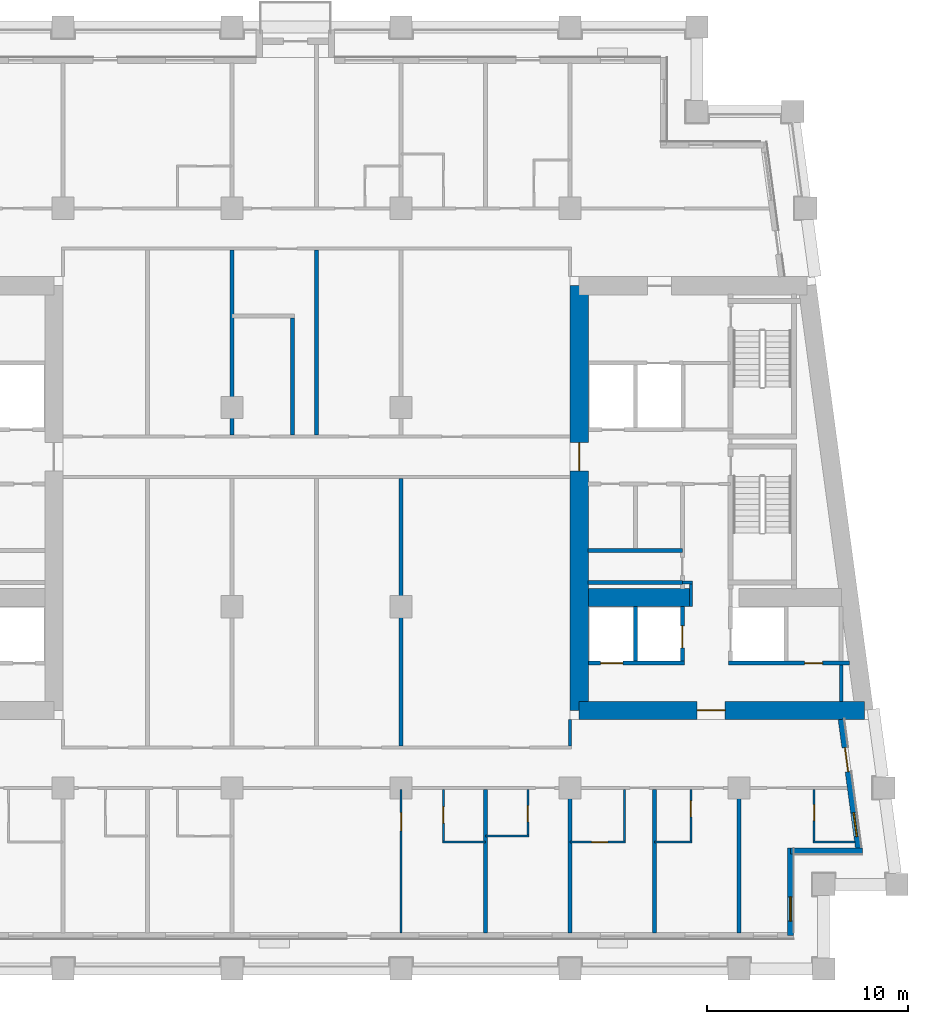
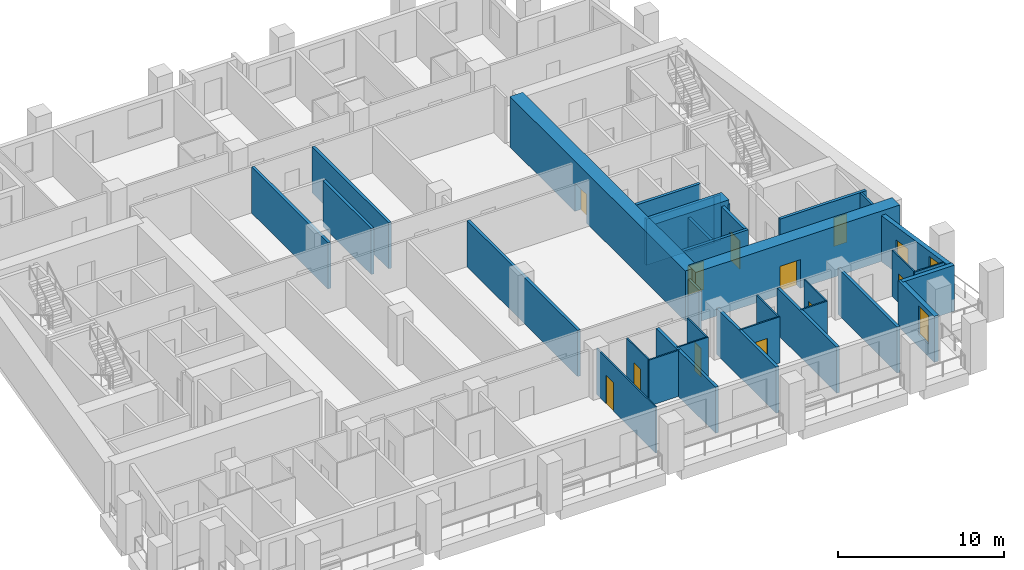
# One storey, part 5 of 13: 35 walls, 12 doors, 2 windows, 14 openings.
"""IFC4 building model written with IfcOpenShell, lengths in metres."""

from ifc_helpers import new_model, si_unit, direction, frame, frame_2d, origin, place, context, subcontext, project, spatial, rectangle, extrude, material, layer, layer_set, type_object, element, fill, save


model = new_model("IFC4")

# Units and contexts
model_context = context("Model", 3, precision=1e-05, world=origin(), true_north=direction((0.0, 1.0)))
body_context = subcontext(model_context, "Body", "Model", "MODEL_VIEW")
ifc_project = project(units=[si_unit("LENGTHUNIT", "METRE"), si_unit("AREAUNIT", "SQUARE_METRE"), si_unit("VOLUMEUNIT", "CUBIC_METRE"), si_unit("PLANEANGLEUNIT", "RADIAN"), si_unit("MASSUNIT", "GRAM", prefix="KILO")], contexts=[model_context])

# Site, building, storey
site_placement = place(None, origin())
site = spatial("IfcSite", under=ifc_project, at=site_placement, CompositionType="ELEMENT")
building_placement = place(site_placement, origin())
building = spatial("IfcBuilding", under=site, at=building_placement, Name="Candeia Pilgrim Tower and Theatre", CompositionType="ELEMENT")
storey_placement = place(building_placement, frame((0.0, 0.0, 177.39990234375)))
storey = spatial("IfcBuildingStorey", under=building, at=storey_placement, Name="L42", CompositionType="ELEMENT", Elevation=177.39990234375)

# Wall, opening, door
ifc_material_1 = material(Name="Concrete C60/75", Category="concrete")
ifc_layer_1 = layer(ifc_material_1, 0.89990234375)
ifc_layer_set_1 = layer_set([ifc_layer_1], Name="Core wall 900 C60/75")
wall_type_1 = type_object("IfcWallType", Name="Core wall 900 C60/75", PredefinedType="SHEAR", material=ifc_layer_set_1)
wall_1_placement = place(storey_placement, frame((140.6162109375, 110.85009765625, 0.0), z_axis=(0.0, 0.0, 1.0), x_axis=(-1.0, 0.0, 0.0)))
wall_1 = element("IfcWall", 1, at=wall_1_placement, inside=storey, type_object=wall_type_1, Name="Core wall E3", PredefinedType="SHEAR", context=body_context, shape_type="SweptSolid", body=[
    extrude(rectangle(XDim=14.166259765625, YDim=0.89990234375, at=frame_2d((7.0830078125, 0.0))), origin(), (0.0, 0.0, 1.0), 3.7001953125),
])
opening_1_placement = place(wall_1_placement, frame((6.911376953125, 0.0, 0.0)))
opening_1 = element("IfcOpeningElement", 2, at=opening_1_placement, cuts=wall_1, Name="Opening L42-D065", PredefinedType="OPENING", context=body_context, shape_type="SweptSolid", body=[
    extrude(rectangle(XDim=1.39990234375, YDim=2.10009765625, at=frame_2d((0.699951171875, 1.050048828125))), frame((0.0, 0.4599609375, 0.0), z_axis=(0.0, -1.0, 0.0), x_axis=(1.0, 0.0, 0.0)), (0.0, 0.0, 1.0), 0.919921875),
])
ifc_material_2 = material(Name="Steel fire door set", Category="steel")
door_type_1 = type_object("IfcDoorType", Name="D-1400-FD60", OperationType="NOTDEFINED", PredefinedType="DOOR", material=ifc_material_2)
door_1_placement = place(opening_1_placement, origin())
door_1 = element("IfcDoor", 3, at=door_1_placement, inside=storey, type_object=door_type_1, Name="Door L42-D065", OperationType="SINGLE_SWING_LEFT", OverallHeight=2.10009765625, OverallWidth=1.39990234375, PredefinedType="DOOR", context=body_context, shape_type="SweptSolid", body=[
    extrude(rectangle(XDim=1.39990234375, YDim=2.10009765625, at=frame_2d((0.699951171875, 1.050048828125))), frame((0.0, 0.02490234375, 0.0), z_axis=(0.0, -1.0, 0.0), x_axis=(1.0, 0.0, 0.0)), (0.0, 0.0, 1.0), 0.050048828125),
])
fill(opening_1, door_1)

wall_2_placement = place(storey_placement, frame((126.449951171875, 110.85009765625, 0.0), z_axis=(0.0, 0.0, 1.0), x_axis=(0.0, 1.0, 0.0)))
wall_2 = element("IfcWall", 4, at=wall_2_placement, inside=storey, type_object=wall_type_1, Name="Core wall E4", PredefinedType="SHEAR", context=body_context, shape_type="SweptSolid", body=[
    extrude(rectangle(XDim=21.099853515625, YDim=0.89990234375, at=frame_2d((10.5498046875, 0.0))), origin(), (0.0, 0.0, 1.0), 3.7001953125),
])
opening_2_placement = place(wall_2_placement, frame((11.89990234375, 0.0, 0.0)))
opening_2 = element("IfcOpeningElement", 5, at=opening_2_placement, cuts=wall_2, Name="Opening L42-D067", PredefinedType="OPENING", context=body_context, shape_type="SweptSolid", body=[
    extrude(rectangle(XDim=1.39990234375, YDim=2.10009765625, at=frame_2d((0.699951171875, 1.050048828125))), frame((0.0, 0.4599609375, 0.0), z_axis=(0.0, -1.0, 0.0), x_axis=(1.0, 0.0, 0.0)), (0.0, 0.0, 1.0), 0.919921875),
])
door_2_placement = place(opening_2_placement, origin())
door_2 = element("IfcDoor", 6, at=door_2_placement, inside=storey, type_object=door_type_1, Name="Door L42-D067", OperationType="SINGLE_SWING_LEFT", OverallHeight=2.10009765625, OverallWidth=1.39990234375, PredefinedType="DOOR", context=body_context, shape_type="SweptSolid", body=[
    extrude(rectangle(XDim=1.39990234375, YDim=2.10009765625, at=frame_2d((0.699951171875, 1.050048828125))), frame((0.0, 0.02490234375, 0.0), z_axis=(0.0, -1.0, 0.0), x_axis=(1.0, 0.0, 0.0)), (0.0, 0.0, 1.0), 0.050048828125),
])
fill(opening_2, door_2)

# Wall
wall_3_placement = place(storey_placement, frame((126.89990234375, 116.449951171875, 0.0), z_axis=(0.0, 0.0, 1.0), x_axis=(1.0, 0.0, 0.0)))
element("IfcWall", 7, at=wall_3_placement, inside=storey, type_object=wall_type_1, Name="Core wall E5", PredefinedType="SHEAR", context=body_context, shape_type="SweptSolid", body=[
    extrude(rectangle(XDim=5.10009765625, YDim=0.89990234375, at=frame_2d((2.550048828125, 0.0))), origin(), (0.0, 0.0, 1.0), 3.7001953125),
])

# Wall, opening, window
ifc_material_3 = material(Name="Ceramic block masonry", Category="masonry")
ifc_layer_2 = layer(ifc_material_3, 0.300048828125)
ifc_layer_set_2 = layer_set([ifc_layer_2], Name="EW1 glazing-line wall 300")
wall_type_2 = type_object("IfcWallType", Name="EW1 glazing-line wall 300", PredefinedType="SOLIDWALL", material=ifc_layer_set_2)
wall_4_placement = place(storey_placement, frame((136.949951171875, 99.64990234375, 0.0), z_axis=(0.0, 0.0, 1.0), x_axis=(0.0, 1.0, 0.0)))
wall_4 = element("IfcWall", 8, at=wall_4_placement, inside=storey, type_object=wall_type_2, Name="External wall L42-1.0", PredefinedType="SOLIDWALL", context=body_context, shape_type="SweptSolid", body=[
    extrude(rectangle(XDim=4.35009765625, YDim=0.300048828125, at=frame_2d((2.175048828125, 0.0))), origin(), (0.0, 0.0, 1.0), 3.380126953125),
])
opening_3_placement = place(wall_4_placement, frame((0.72509765625, 0.0, 0.89990234375)))
opening_3 = element("IfcOpeningElement", 9, at=opening_3_placement, cuts=wall_4, Name="Opening W-B", PredefinedType="OPENING", context=body_context, shape_type="SweptSolid", body=[
    extrude(rectangle(XDim=1.199951171875, YDim=2.10009765625, at=frame_2d((0.60009765625, 1.050048828125))), frame((0.0, 0.16015625, 0.0), z_axis=(0.0, -1.0, 0.0), x_axis=(1.0, 0.0, 0.0)), (0.0, 0.0, 1.0), 0.320068359375),
])
ifc_material_4 = material(Name="Aluminium framed double glazing", Category="aluminium")
window_type = type_object("IfcWindowType", Name="W-B window 1200x2100", PartitioningType="SINGLE_PANEL", PredefinedType="WINDOW", material=ifc_material_4)
window_1_placement = place(opening_3_placement, origin())
window_1 = element("IfcWindow", 10, at=window_1_placement, inside=storey, type_object=window_type, Name="Window W-B L42", OverallHeight=2.10009765625, OverallWidth=1.199951171875, PartitioningType="SINGLE_PANEL", PredefinedType="WINDOW", context=body_context, shape_type="SweptSolid", body=[
    extrude(rectangle(XDim=1.199951171875, YDim=2.10009765625, at=frame_2d((0.60009765625, 1.050048828125))), frame((0.0, 0.030029296875, 0.0), z_axis=(0.0, -1.0, 0.0), x_axis=(1.0, 0.0, 0.0)), (0.0, 0.0, 1.0), 0.06005859375),
])
fill(opening_3, window_1)

# Wall
wall_5_placement = place(storey_placement, frame((136.949951171875, 103.85009765625, 0.0), z_axis=(0.0, 0.0, 1.0), x_axis=(1.0, 0.0, 0.0)))
element("IfcWall", 11, at=wall_5_placement, inside=storey, type_object=wall_type_2, Name="External wall L42-2.0", PredefinedType="SOLIDWALL", context=body_context, shape_type="SweptSolid", body=[
    extrude(rectangle(XDim=3.569091796875, YDim=0.300048828125, at=frame_2d((1.78466796875, 0.0))), origin(), (0.0, 0.0, 1.0), 3.380126953125),
])

# Wall, openings, door, window
wall_6_placement = place(storey_placement, frame((140.34765625, 103.85009765625, 0.0), z_axis=(0.0, 0.0, 1.0), x_axis=(-0.133431549479, 0.991058031401, 0.0)))
wall_6 = element("IfcWall", 12, at=wall_6_placement, inside=storey, type_object=wall_type_2, Name="External wall L42-3.0", PredefinedType="SOLIDWALL", context=body_context, shape_type="SweptSolid", body=[
    extrude(rectangle(XDim=6.60888671875, YDim=0.300048828125, at=frame_2d((3.304443359375, 0.0))), origin(), (0.0, 0.0, 1.0), 3.380126953125),
])
opening_4_placement = place(wall_6_placement, frame((0.736572265625, 0.0, 0.89990234375)))
opening_4 = element("IfcOpeningElement", 13, at=opening_4_placement, cuts=wall_6, Name="Opening W-B", PredefinedType="OPENING", context=body_context, shape_type="SweptSolid", body=[
    extrude(rectangle(XDim=1.199951171875, YDim=2.10009765625, at=frame_2d((0.60009765625, 1.050048828125))), frame((0.0, 0.16015625, 0.0), z_axis=(0.0, -1.0, 0.0), x_axis=(1.0, 0.0, 0.0)), (0.0, 0.0, 1.0), 0.320068359375),
])
opening_5_placement = place(wall_6_placement, frame((3.990966796875, 0.0, 0.0)))
opening_5 = element("IfcOpeningElement", 14, at=opening_5_placement, cuts=wall_6, Name="Opening L42-ED403", PredefinedType="OPENING", context=body_context, shape_type="SweptSolid", body=[
    extrude(rectangle(XDim=1.199951171875, YDim=2.39990234375, at=frame_2d((0.60009765625, 1.199951171875))), frame((0.0, 0.16015625, 0.0), z_axis=(0.0, -1.0, 0.0), x_axis=(1.0, 0.0, 0.0)), (0.0, 0.0, 1.0), 0.320068359375),
])
ifc_material_5 = material(Name="Aluminium framed glazed door", Category="aluminium")
door_type_2 = type_object("IfcDoorType", Name="Loggia door 1200x2400", OperationType="DOUBLE_DOOR_SINGLE_SWING", PredefinedType="DOOR", material=ifc_material_5)
door_3_placement = place(opening_5_placement, origin())
door_3 = element("IfcDoor", 15, at=door_3_placement, inside=storey, type_object=door_type_2, Name="Loggia door L42-ED403", OperationType="DOUBLE_DOOR_SINGLE_SWING", OverallHeight=2.39990234375, OverallWidth=1.199951171875, PredefinedType="DOOR", context=body_context, shape_type="SweptSolid", body=[
    extrude(rectangle(XDim=1.199951171875, YDim=2.39990234375, at=frame_2d((0.60009765625, 1.199951171875))), frame((0.0, 0.02490234375, 0.0), z_axis=(0.0, -1.0, 0.0), x_axis=(1.0, 0.0, 0.0)), (0.0, 0.0, 1.0), 0.050048828125),
])
fill(opening_5, door_3)
window_2_placement = place(opening_4_placement, origin())
window_2 = element("IfcWindow", 16, at=window_2_placement, inside=storey, type_object=window_type, Name="Window W-B L42", OverallHeight=2.10009765625, OverallWidth=1.199951171875, PartitioningType="SINGLE_PANEL", PredefinedType="WINDOW", context=body_context, shape_type="SweptSolid", body=[
    extrude(rectangle(XDim=1.199951171875, YDim=2.10009765625, at=frame_2d((0.60009765625, 1.050048828125))), frame((0.0, 0.030029296875, 0.0), z_axis=(0.0, -1.0, 0.0), x_axis=(1.0, 0.0, 0.0)), (0.0, 0.0, 1.0), 0.06005859375),
])
fill(opening_4, window_2)

# Wall
ifc_material_6 = material(Name="Gypsum board partition on steel studs", Category="steel")
ifc_layer_3 = layer(ifc_material_6, 0.10009765625)
ifc_layer_set_3 = layer_set([ifc_layer_3], Name="PW-100 room partition")
wall_type_3 = type_object("IfcWallType", Name="PW-100 room partition", PredefinedType="PARTITIONING", material=ifc_layer_set_3)
wall_7_placement = place(storey_placement, frame((119.64990234375, 104.300048828125, 0.0), z_axis=(0.0, 0.0, 1.0), x_axis=(1.0, 0.0, 0.0)))
element("IfcWall", 17, at=wall_7_placement, inside=storey, type_object=wall_type_3, Name="Room partition L42-003", PredefinedType="PARTITIONING", context=body_context, shape_type="SweptSolid", body=[
    extrude(rectangle(XDim=2.150146484375, YDim=0.10009765625, at=frame_2d((1.0751953125, 0.0))), origin(), (0.0, 0.0, 1.0), 3.380126953125),
])

# Wall, opening, door
wall_8_placement = place(storey_placement, frame((126.0, 104.300048828125, 0.0), z_axis=(0.0, 0.0, 1.0), x_axis=(1.0, 0.0, 0.0)))
wall_8 = element("IfcWall", 18, at=wall_8_placement, inside=storey, type_object=wall_type_3, Name="Room partition L42-004", PredefinedType="PARTITIONING", context=body_context, shape_type="SweptSolid", body=[
    extrude(rectangle(XDim=2.75, YDim=0.10009765625, at=frame_2d((1.375, 0.0))), origin(), (0.0, 0.0, 1.0), 3.380126953125),
])
opening_6_placement = place(wall_8_placement, frame((1.070068359375, 0.0, 0.0)))
opening_6 = element("IfcOpeningElement", 19, at=opening_6_placement, cuts=wall_8, Name="Opening L42-D033", PredefinedType="OPENING", context=body_context, shape_type="SweptSolid", body=[
    extrude(rectangle(XDim=0.800048828125, YDim=2.10009765625, at=frame_2d((0.39990234375, 1.050048828125))), frame((0.0, 0.06005859375, 0.0), z_axis=(0.0, -1.0, 0.0), x_axis=(1.0, 0.0, 0.0)), (0.0, 0.0, 1.0), 0.1201171875),
])
ifc_material_7 = material(Name="Timber door leaf", Category="wood")
door_type_3 = type_object("IfcDoorType", Name="D-800", OperationType="NOTDEFINED", PredefinedType="DOOR", material=ifc_material_7)
door_4_placement = place(opening_6_placement, origin())
door_4 = element("IfcDoor", 20, at=door_4_placement, inside=storey, type_object=door_type_3, Name="Door L42-D033", OperationType="SINGLE_SWING_LEFT", OverallHeight=2.10009765625, OverallWidth=0.800048828125, PredefinedType="DOOR", context=body_context, shape_type="SweptSolid", body=[
    extrude(rectangle(XDim=0.800048828125, YDim=2.10009765625, at=frame_2d((0.39990234375, 1.050048828125))), frame((0.0, 0.02490234375, 0.0), z_axis=(0.0, -1.0, 0.0), x_axis=(1.0, 0.0, 0.0)), (0.0, 0.0, 1.0), 0.050048828125),
])
fill(opening_6, door_4)

# Walls
wall_9_placement = place(storey_placement, frame((130.199951171875, 104.300048828125, 0.0), z_axis=(0.0, 0.0, 1.0), x_axis=(1.0, 0.0, 0.0)))
element("IfcWall", 21, at=wall_9_placement, inside=storey, type_object=wall_type_3, Name="Room partition L42-005", PredefinedType="PARTITIONING", context=body_context, shape_type="SweptSolid", body=[
    extrude(rectangle(XDim=1.85009765625, YDim=0.10009765625, at=frame_2d((0.925048828125, 0.0))), origin(), (0.0, 0.0, 1.0), 3.380126953125),
])
wall_10_placement = place(storey_placement, frame((138.070068359375, 104.300048828125, 0.0), z_axis=(0.0, 0.0, 1.0), x_axis=(1.0, 0.0, 0.0)))
element("IfcWall", 22, at=wall_10_placement, inside=storey, type_object=wall_type_3, Name="Room partition L42-006", PredefinedType="PARTITIONING", context=body_context, shape_type="SweptSolid", body=[
    extrude(rectangle(XDim=2.07568359375, YDim=0.10009765625, at=frame_2d((1.037841796875, 0.0))), origin(), (0.0, 0.0, 1.0), 3.380126953125),
])
wall_11_placement = place(storey_placement, frame((121.800048828125, 104.60009765625, 0.0), z_axis=(0.0, 0.0, 1.0), x_axis=(1.0, 0.0, 0.0)))
element("IfcWall", 23, at=wall_11_placement, inside=storey, type_object=wall_type_3, Name="Room partition L42-010", PredefinedType="PARTITIONING", context=body_context, shape_type="SweptSolid", body=[
    extrude(rectangle(XDim=2.14990234375, YDim=0.10009765625, at=frame_2d((1.074951171875, 0.0))), origin(), (0.0, 0.0, 1.0), 3.380126953125),
])

# Wall, opening, door
wall_12_placement = place(storey_placement, frame((117.60009765625, 99.7900390625, 0.0), z_axis=(0.0, 0.0, 1.0), x_axis=(0.0, 1.0, 0.0)))
wall_12 = element("IfcWall", 24, at=wall_12_placement, inside=storey, type_object=wall_type_3, Name="Room partition L42-094", PredefinedType="PARTITIONING", context=body_context, shape_type="SweptSolid", body=[
    extrude(rectangle(XDim=7.135009765625, YDim=0.10009765625, at=frame_2d((3.5673828125, 0.0))), origin(), (0.0, 0.0, 1.0), 3.380126953125),
])
opening_7_placement = place(wall_12_placement, frame((5.074951171875, 0.0, 0.0)))
opening_7 = element("IfcOpeningElement", 25, at=opening_7_placement, cuts=wall_12, Name="Opening L42-D028", PredefinedType="OPENING", context=body_context, shape_type="SweptSolid", body=[
    extrude(rectangle(XDim=0.89990234375, YDim=2.10009765625, at=frame_2d((0.449951171875, 1.050048828125))), frame((0.0, 0.06005859375, 0.0), z_axis=(0.0, -1.0, 0.0), x_axis=(1.0, 0.0, 0.0)), (0.0, 0.0, 1.0), 0.1201171875),
])
door_type_4 = type_object("IfcDoorType", Name="D-900", OperationType="NOTDEFINED", PredefinedType="DOOR", material=ifc_material_7)
door_5_placement = place(opening_7_placement, origin())
door_5 = element("IfcDoor", 26, at=door_5_placement, inside=storey, type_object=door_type_4, Name="Door L42-D028", OperationType="SINGLE_SWING_RIGHT", OverallHeight=2.10009765625, OverallWidth=0.89990234375, PredefinedType="DOOR", context=body_context, shape_type="SweptSolid", body=[
    extrude(rectangle(XDim=0.89990234375, YDim=2.10009765625, at=frame_2d((0.449951171875, 1.050048828125))), frame((0.0, 0.02490234375, 0.0), z_axis=(0.0, -1.0, 0.0), x_axis=(1.0, 0.0, 0.0)), (0.0, 0.0, 1.0), 0.050048828125),
])
fill(opening_7, door_5)

wall_13_placement = place(storey_placement, frame((119.699951171875, 104.35009765625, 0.0), z_axis=(0.0, 0.0, 1.0), x_axis=(0.0, 1.0, 0.0)))
wall_13 = element("IfcWall", 27, at=wall_13_placement, inside=storey, type_object=wall_type_3, Name="Room partition L42-098", PredefinedType="PARTITIONING", context=body_context, shape_type="SweptSolid", body=[
    extrude(rectangle(XDim=2.574951171875, YDim=0.10009765625, at=frame_2d((1.28759765625, 0.0))), origin(), (0.0, 0.0, 1.0), 3.380126953125),
])
opening_8_placement = place(wall_13_placement, frame((0.89990234375, 0.0, 0.0)))
opening_8 = element("IfcOpeningElement", 28, at=opening_8_placement, cuts=wall_13, Name="Opening L42-D029", PredefinedType="OPENING", context=body_context, shape_type="SweptSolid", body=[
    extrude(rectangle(XDim=0.800048828125, YDim=2.10009765625, at=frame_2d((0.39990234375, 1.050048828125))), frame((0.0, 0.06005859375, 0.0), z_axis=(0.0, -1.0, 0.0), x_axis=(1.0, 0.0, 0.0)), (0.0, 0.0, 1.0), 0.1201171875),
])
door_6_placement = place(opening_8_placement, origin())
door_6 = element("IfcDoor", 29, at=door_6_placement, inside=storey, type_object=door_type_3, Name="Door L42-D029", OperationType="SINGLE_SWING_LEFT", OverallHeight=2.10009765625, OverallWidth=0.800048828125, PredefinedType="DOOR", context=body_context, shape_type="SweptSolid", body=[
    extrude(rectangle(XDim=0.800048828125, YDim=2.10009765625, at=frame_2d((0.39990234375, 1.050048828125))), frame((0.0, 0.02490234375, 0.0), z_axis=(0.0, -1.0, 0.0), x_axis=(1.0, 0.0, 0.0)), (0.0, 0.0, 1.0), 0.050048828125),
])
fill(opening_8, door_6)

wall_14_placement = place(storey_placement, frame((123.89990234375, 104.64990234375, 0.0), z_axis=(0.0, 0.0, 1.0), x_axis=(0.0, 1.0, 0.0)))
wall_14 = element("IfcWall", 30, at=wall_14_placement, inside=storey, type_object=wall_type_3, Name="Room partition L42-102", PredefinedType="PARTITIONING", context=body_context, shape_type="SweptSolid", body=[
    extrude(rectangle(XDim=2.275146484375, YDim=0.10009765625, at=frame_2d((1.1376953125, 0.0))), origin(), (0.0, 0.0, 1.0), 3.380126953125),
])
opening_9_placement = place(wall_14_placement, frame((0.659912109375, 0.0, 0.0)))
opening_9 = element("IfcOpeningElement", 31, at=opening_9_placement, cuts=wall_14, Name="Opening L42-D031", PredefinedType="OPENING", context=body_context, shape_type="SweptSolid", body=[
    extrude(rectangle(XDim=0.800048828125, YDim=2.10009765625, at=frame_2d((0.39990234375, 1.050048828125))), frame((0.0, 0.06005859375, 0.0), z_axis=(0.0, -1.0, 0.0), x_axis=(1.0, 0.0, 0.0)), (0.0, 0.0, 1.0), 0.1201171875),
])
door_7_placement = place(opening_9_placement, origin())
door_7 = element("IfcDoor", 32, at=door_7_placement, inside=storey, type_object=door_type_3, Name="Door L42-D031", OperationType="SINGLE_SWING_LEFT", OverallHeight=2.10009765625, OverallWidth=0.800048828125, PredefinedType="DOOR", context=body_context, shape_type="SweptSolid", body=[
    extrude(rectangle(XDim=0.800048828125, YDim=2.10009765625, at=frame_2d((0.39990234375, 1.050048828125))), frame((0.0, 0.02490234375, 0.0), z_axis=(0.0, -1.0, 0.0), x_axis=(1.0, 0.0, 0.0)), (0.0, 0.0, 1.0), 0.050048828125),
])
fill(opening_9, door_7)

# Wall
wall_15_placement = place(storey_placement, frame((128.699951171875, 104.35009765625, 0.0), z_axis=(0.0, 0.0, 1.0), x_axis=(0.0, 1.0, 0.0)))
element("IfcWall", 33, at=wall_15_placement, inside=storey, type_object=wall_type_3, Name="Room partition L42-108", PredefinedType="PARTITIONING", context=body_context, shape_type="SweptSolid", body=[
    extrude(rectangle(XDim=2.574951171875, YDim=0.10009765625, at=frame_2d((1.28759765625, 0.0))), origin(), (0.0, 0.0, 1.0), 3.380126953125),
])

# Wall, opening, door
wall_16_placement = place(storey_placement, frame((132.0, 104.35009765625, 0.0), z_axis=(0.0, 0.0, 1.0), x_axis=(0.0, 1.0, 0.0)))
wall_16 = element("IfcWall", 34, at=wall_16_placement, inside=storey, type_object=wall_type_3, Name="Room partition L42-116", PredefinedType="PARTITIONING", context=body_context, shape_type="SweptSolid", body=[
    extrude(rectangle(XDim=2.574951171875, YDim=0.10009765625, at=frame_2d((1.28759765625, 0.0))), origin(), (0.0, 0.0, 1.0), 3.380126953125),
])
opening_10_placement = place(wall_16_placement, frame((1.199951171875, 0.0, 0.0)))
opening_10 = element("IfcOpeningElement", 35, at=opening_10_placement, cuts=wall_16, Name="Opening L42-D035", PredefinedType="OPENING", context=body_context, shape_type="SweptSolid", body=[
    extrude(rectangle(XDim=0.800048828125, YDim=2.10009765625, at=frame_2d((0.39990234375, 1.050048828125))), frame((0.0, 0.06005859375, 0.0), z_axis=(0.0, -1.0, 0.0), x_axis=(1.0, 0.0, 0.0)), (0.0, 0.0, 1.0), 0.1201171875),
])
door_8_placement = place(opening_10_placement, origin())
door_8 = element("IfcDoor", 36, at=door_8_placement, inside=storey, type_object=door_type_3, Name="Door L42-D035", OperationType="SINGLE_SWING_LEFT", OverallHeight=2.10009765625, OverallWidth=0.800048828125, PredefinedType="DOOR", context=body_context, shape_type="SweptSolid", body=[
    extrude(rectangle(XDim=0.800048828125, YDim=2.10009765625, at=frame_2d((0.39990234375, 1.050048828125))), frame((0.0, 0.02490234375, 0.0), z_axis=(0.0, -1.0, 0.0), x_axis=(1.0, 0.0, 0.0)), (0.0, 0.0, 1.0), 0.050048828125),
])
fill(opening_10, door_8)

wall_17_placement = place(storey_placement, frame((138.1201171875, 104.35009765625, 0.0), z_axis=(0.0, 0.0, 1.0), x_axis=(0.0, 1.0, 0.0)))
wall_17 = element("IfcWall", 37, at=wall_17_placement, inside=storey, type_object=wall_type_3, Name="Room partition L42-127", PredefinedType="PARTITIONING", context=body_context, shape_type="SweptSolid", body=[
    extrude(rectangle(XDim=2.574951171875, YDim=0.10009765625, at=frame_2d((1.28759765625, 0.0))), origin(), (0.0, 0.0, 1.0), 3.380126953125),
])
opening_11_placement = place(wall_17_placement, frame((1.02001953125, 0.0, 0.0)))
opening_11 = element("IfcOpeningElement", 38, at=opening_11_placement, cuts=wall_17, Name="Opening L42-D037", PredefinedType="OPENING", context=body_context, shape_type="SweptSolid", body=[
    extrude(rectangle(XDim=0.800048828125, YDim=2.10009765625, at=frame_2d((0.39990234375, 1.050048828125))), frame((0.0, 0.06005859375, 0.0), z_axis=(0.0, -1.0, 0.0), x_axis=(1.0, 0.0, 0.0)), (0.0, 0.0, 1.0), 0.1201171875),
])
door_9_placement = place(opening_11_placement, origin())
door_9 = element("IfcDoor", 39, at=door_9_placement, inside=storey, type_object=door_type_3, Name="Door L42-D037", OperationType="SINGLE_SWING_LEFT", OverallHeight=2.10009765625, OverallWidth=0.800048828125, PredefinedType="DOOR", context=body_context, shape_type="SweptSolid", body=[
    extrude(rectangle(XDim=0.800048828125, YDim=2.10009765625, at=frame_2d((0.39990234375, 1.050048828125))), frame((0.0, 0.02490234375, 0.0), z_axis=(0.0, -1.0, 0.0), x_axis=(1.0, 0.0, 0.0)), (0.0, 0.0, 1.0), 0.050048828125),
])
fill(opening_11, door_9)

# Walls
ifc_layer_4 = layer(ifc_material_6, 0.14990234375)
ifc_layer_set_4 = layer_set([ifc_layer_4], Name="PW-150 lobby wall")
wall_type_4 = type_object("IfcWallType", Name="PW-150 lobby wall", PredefinedType="PARTITIONING", material=ifc_layer_set_4)
wall_18_placement = place(storey_placement, frame((131.572998046875, 117.199951171875, 0.0), z_axis=(0.0, 0.0, 1.0), x_axis=(1.0, 0.0, 0.0)))
element("IfcWall", 40, at=wall_18_placement, inside=storey, type_object=wall_type_4, Name="Lobby wall L42-020", PredefinedType="PARTITIONING", context=body_context, shape_type="SweptSolid", body=[
    extrude(rectangle(XDim=0.501953125, YDim=0.14990234375, at=frame_2d((0.2509765625, 0.0))), origin(), (0.0, 0.0, 1.0), 3.380126953125),
])
wall_19_placement = place(storey_placement, frame((132.0, 116.0, 0.0), z_axis=(0.0, 0.0, 1.0), x_axis=(0.0, 1.0, 0.0)))
element("IfcWall", 41, at=wall_19_placement, inside=storey, type_object=wall_type_4, Name="Lobby wall L42-117", PredefinedType="PARTITIONING", context=body_context, shape_type="SweptSolid", body=[
    extrude(rectangle(XDim=1.125, YDim=0.14990234375, at=frame_2d((0.5625, 0.0))), origin(), (0.0, 0.0, 1.0), 3.380126953125),
])
wall_20_placement = place(storey_placement, frame((139.471923828125, 111.300048828125, 0.0), z_axis=(0.0, 0.0, 1.0), x_axis=(0.0, 1.0, 0.0)))
element("IfcWall", 42, at=wall_20_placement, inside=storey, type_object=wall_type_4, Name="Lobby wall L42-129", PredefinedType="PARTITIONING", context=body_context, shape_type="SweptSolid", body=[
    extrude(rectangle(XDim=1.800048828125, YDim=0.14990234375, at=frame_2d((0.89990234375, 0.0))), origin(), (0.0, 0.0, 1.0), 3.380126953125),
])
ifc_layer_5 = layer(ifc_material_6, 0.14990234375)
ifc_layer_set_5 = layer_set([ifc_layer_5], Name="PW-150 unit wall")
wall_type_5 = type_object("IfcWallType", Name="PW-150 unit wall", PredefinedType="PARTITIONING", material=ifc_layer_set_5)
wall_21_placement = place(storey_placement, frame((126.0, 109.074951171875, 0.0), z_axis=(0.0, 0.0, 1.0), x_axis=(0.0, 1.0, 0.0)))
element("IfcWall", 43, at=wall_21_placement, inside=storey, type_object=wall_type_5, Name="Unit wall L42-106", PredefinedType="PARTITIONING", context=body_context, shape_type="SweptSolid", body=[
    extrude(rectangle(XDim=1.324951171875, YDim=0.14990234375, at=frame_2d((0.66259765625, 0.0))), origin(), (0.0, 0.0, 1.0), 3.380126953125),
])
ifc_layer_6 = layer(ifc_material_6, 0.199951171875)
ifc_layer_set_6 = layer_set([ifc_layer_6], Name="PW-200 party wall")
wall_type_6 = type_object("IfcWallType", Name="PW-200 party wall", PredefinedType="PARTITIONING", material=ifc_layer_set_6)
wall_22_placement = place(storey_placement, frame((109.199951171875, 124.52490234375, 0.0), z_axis=(0.0, 0.0, 1.0), x_axis=(0.0, 1.0, 0.0)))
element("IfcWall", 44, at=wall_22_placement, inside=storey, type_object=wall_type_6, Name="Party wall L42-087", PredefinedType="PARTITIONING", context=body_context, shape_type="SweptSolid", body=[
    extrude(rectangle(XDim=9.2001953125, YDim=0.199951171875, at=frame_2d((4.60009765625, 0.0))), origin(), (0.0, 0.0, 1.0), 3.380126953125),
])
wall_23_placement = place(storey_placement, frame((112.199951171875, 124.52490234375, 0.0), z_axis=(0.0, 0.0, 1.0), x_axis=(0.0, 1.0, 0.0)))
element("IfcWall", 45, at=wall_23_placement, inside=storey, type_object=wall_type_6, Name="Party wall L42-089", PredefinedType="PARTITIONING", context=body_context, shape_type="SweptSolid", body=[
    extrude(rectangle(XDim=5.8251953125, YDim=0.199951171875, at=frame_2d((2.91259765625, 0.0))), origin(), (0.0, 0.0, 1.0), 3.380126953125),
])
wall_24_placement = place(storey_placement, frame((113.39990234375, 124.52490234375, 0.0), z_axis=(0.0, 0.0, 1.0), x_axis=(0.0, 1.0, 0.0)))
element("IfcWall", 46, at=wall_24_placement, inside=storey, type_object=wall_type_6, Name="Party wall L42-091", PredefinedType="PARTITIONING", context=body_context, shape_type="SweptSolid", body=[
    extrude(rectangle(XDim=9.2001953125, YDim=0.199951171875, at=frame_2d((4.60009765625, 0.0))), origin(), (0.0, 0.0, 1.0), 3.380126953125),
])
wall_25_placement = place(storey_placement, frame((117.60009765625, 109.074951171875, 0.0), z_axis=(0.0, 0.0, 1.0), x_axis=(0.0, 1.0, 0.0)))
element("IfcWall", 47, at=wall_25_placement, inside=storey, type_object=wall_type_6, Name="Party wall L42-095", PredefinedType="PARTITIONING", context=body_context, shape_type="SweptSolid", body=[
    extrude(rectangle(XDim=13.300048828125, YDim=0.199951171875, at=frame_2d((6.64990234375, 0.0))), origin(), (0.0, 0.0, 1.0), 3.380126953125),
])
for number, where, z_axis, x_axis, name in (
    (48, (121.800048828125, 99.7900390625, 0.0), (0.0, 0.0, 1.0), (0.0, 1.0, 0.0), "Party wall L42-100"),
    (49, (126.0, 99.7900390625, 0.0), (0.0, 0.0, 1.0), (0.0, 1.0, 0.0), "Party wall L42-104"),
    (50, (130.199951171875, 99.7900390625, 0.0), (0.0, 0.0, 1.0), (0.0, 1.0, 0.0), "Party wall L42-112"),
    (51, (134.39990234375, 99.7900390625, 0.0), (0.0, 0.0, 1.0), (0.0, 1.0, 0.0), "Party wall L42-123"),
):
    element("IfcWall", number, at=place(storey_placement, frame(where, z_axis=z_axis, x_axis=x_axis)), inside=storey, type_object=wall_type_6, Name=name, PredefinedType="PARTITIONING", context=body_context, shape_type="SweptSolid", body=[
        extrude(rectangle(XDim=7.135009765625, YDim=0.199951171875, at=frame_2d((3.5673828125, 0.0))), origin(), (0.0, 0.0, 1.0), 3.380126953125),
    ])

# Wall, opening, door
ifc_material_8 = material(Name="Concrete C40/50", Category="concrete")
ifc_layer_7 = layer(ifc_material_8, 0.199951171875)
ifc_layer_set_7 = layer_set([ifc_layer_7], Name="SW-200 shaft wall")
wall_type_7 = type_object("IfcWallType", Name="SW-200 shaft wall", PredefinedType="PARTITIONING", material=ifc_layer_set_7)
wall_26_placement = place(storey_placement, frame((126.89990234375, 113.199951171875, 0.0), z_axis=(0.0, 0.0, 1.0), x_axis=(1.0, 0.0, 0.0)))
wall_26 = element("IfcWall", 52, at=wall_26_placement, inside=storey, type_object=wall_type_7, Name="Shaft wall L42-015", PredefinedType="PARTITIONING", context=body_context, shape_type="SweptSolid", body=[
    extrude(rectangle(XDim=4.773193359375, YDim=0.199951171875, at=frame_2d((2.38671875, 0.0))), origin(), (0.0, 0.0, 1.0), 3.380126953125),
])
opening_12_placement = place(wall_26_placement, frame((0.617919921875, 0.0, 0.0)))
opening_12 = element("IfcOpeningElement", 53, at=opening_12_placement, cuts=wall_26, Name="Opening L42-LD08", PredefinedType="OPENING", context=body_context, shape_type="SweptSolid", body=[
    extrude(rectangle(XDim=1.10009765625, YDim=2.10009765625, at=frame_2d((0.550048828125, 1.050048828125))), frame((0.0, 0.10986328125, 0.0), z_axis=(0.0, -1.0, 0.0), x_axis=(1.0, 0.0, 0.0)), (0.0, 0.0, 1.0), 0.219970703125),
])
ifc_material_9 = material(Name="Glazed aluminium landing door", Category="aluminium")
door_type_5 = type_object("IfcDoorType", Name="LD-1100-EI120", OperationType="SLIDING_TO_LEFT", PredefinedType="DOOR", material=ifc_material_9)
door_10_placement = place(opening_12_placement, origin())
door_10 = element("IfcDoor", 54, at=door_10_placement, inside=storey, type_object=door_type_5, Name="Landing door 08 L42", OperationType="SLIDING_TO_LEFT", OverallHeight=2.10009765625, OverallWidth=1.10009765625, PredefinedType="DOOR", context=body_context, shape_type="SweptSolid", body=[
    extrude(rectangle(XDim=1.10009765625, YDim=2.10009765625, at=frame_2d((0.550048828125, 1.050048828125))), frame((0.0, 0.02490234375, 0.0), z_axis=(0.0, -1.0, 0.0), x_axis=(1.0, 0.0, 0.0)), (0.0, 0.0, 1.0), 0.050048828125),
])
fill(opening_12, door_10)

wall_27_placement = place(storey_placement, frame((133.873046875, 113.199951171875, 0.0), z_axis=(0.0, 0.0, 1.0), x_axis=(1.0, 0.0, 0.0)))
wall_27 = element("IfcWall", 55, at=wall_27_placement, inside=storey, type_object=wall_type_7, Name="Shaft wall L42-016", PredefinedType="PARTITIONING", context=body_context, shape_type="SweptSolid", body=[
    extrude(rectangle(XDim=6.002685546875, YDim=0.199951171875, at=frame_2d((3.00146484375, 0.0))), origin(), (0.0, 0.0, 1.0), 3.380126953125),
])
opening_13_placement = place(wall_27_placement, frame((3.77392578125, 0.0, 0.0)))
opening_13 = element("IfcOpeningElement", 56, at=opening_13_placement, cuts=wall_27, Name="Opening L42-D016", PredefinedType="OPENING", context=body_context, shape_type="SweptSolid", body=[
    extrude(rectangle(XDim=0.89990234375, YDim=2.10009765625, at=frame_2d((0.449951171875, 1.050048828125))), frame((0.0, 0.10986328125, 0.0), z_axis=(0.0, -1.0, 0.0), x_axis=(1.0, 0.0, 0.0)), (0.0, 0.0, 1.0), 0.219970703125),
])
door_type_6 = type_object("IfcDoorType", Name="D-900-FD60", OperationType="NOTDEFINED", PredefinedType="DOOR", material=ifc_material_2)
door_11_placement = place(opening_13_placement, origin())
door_11 = element("IfcDoor", 57, at=door_11_placement, inside=storey, type_object=door_type_6, Name="Door L42-D016", OperationType="SINGLE_SWING_RIGHT", OverallHeight=2.10009765625, OverallWidth=0.89990234375, PredefinedType="DOOR", context=body_context, shape_type="SweptSolid", body=[
    extrude(rectangle(XDim=0.89990234375, YDim=2.10009765625, at=frame_2d((0.449951171875, 1.050048828125))), frame((0.0, 0.02490234375, 0.0), z_axis=(0.0, -1.0, 0.0), x_axis=(1.0, 0.0, 0.0)), (0.0, 0.0, 1.0), 0.050048828125),
])
fill(opening_13, door_11)

# Walls
for number, where, z_axis, x_axis, name in (
    (58, (126.89990234375, 117.199951171875, 0.0), (0.0, 0.0, 1.0), (1.0, 0.0, 0.0), "Shaft wall L42-018"),
    (59, (126.89990234375, 118.800048828125, 0.0), (0.0, 0.0, 1.0), (1.0, 0.0, 0.0), "Shaft wall L42-024"),
):
    element("IfcWall", number, at=place(storey_placement, frame(where, z_axis=z_axis, x_axis=x_axis)), inside=storey, type_object=wall_type_7, Name=name, PredefinedType="PARTITIONING", context=body_context, shape_type="SweptSolid", body=[
        extrude(rectangle(XDim=4.673095703125, YDim=0.199951171875, at=frame_2d((2.33642578125, 0.0))), origin(), (0.0, 0.0, 1.0), 3.380126953125),
    ])
wall_28_placement = place(storey_placement, frame((129.236572265625, 113.300048828125, 0.0), z_axis=(0.0, 0.0, 1.0), x_axis=(0.0, 1.0, 0.0)))
element("IfcWall", 60, at=wall_28_placement, inside=storey, type_object=wall_type_7, Name="Shaft wall L42-109", PredefinedType="PARTITIONING", context=body_context, shape_type="SweptSolid", body=[
    extrude(rectangle(XDim=2.699951171875, YDim=0.199951171875, at=frame_2d((1.35009765625, 0.0))), origin(), (0.0, 0.0, 1.0), 3.380126953125),
])

# Wall, opening, door
wall_29_placement = place(storey_placement, frame((131.572998046875, 113.300048828125, 0.0), z_axis=(0.0, 0.0, 1.0), x_axis=(0.0, 1.0, 0.0)))
wall_29 = element("IfcWall", 61, at=wall_29_placement, inside=storey, type_object=wall_type_7, Name="Shaft wall L42-113", PredefinedType="PARTITIONING", context=body_context, shape_type="SweptSolid", body=[
    extrude(rectangle(XDim=2.699951171875, YDim=0.199951171875, at=frame_2d((1.35009765625, 0.0))), origin(), (0.0, 0.0, 1.0), 3.380126953125),
])
opening_14_placement = place(wall_29_placement, frame((0.64990234375, 0.0, 0.0)))
opening_14 = element("IfcOpeningElement", 62, at=opening_14_placement, cuts=wall_29, Name="Opening L42-LD07", PredefinedType="OPENING", context=body_context, shape_type="SweptSolid", body=[
    extrude(rectangle(XDim=1.10009765625, YDim=2.10009765625, at=frame_2d((0.550048828125, 1.050048828125))), frame((0.0, 0.10986328125, 0.0), z_axis=(0.0, -1.0, 0.0), x_axis=(1.0, 0.0, 0.0)), (0.0, 0.0, 1.0), 0.219970703125),
])
door_12_placement = place(opening_14_placement, origin())
door_12 = element("IfcDoor", 63, at=door_12_placement, inside=storey, type_object=door_type_5, Name="Landing door 07 L42", OperationType="SLIDING_TO_LEFT", OverallHeight=2.10009765625, OverallWidth=1.10009765625, PredefinedType="DOOR", context=body_context, shape_type="SweptSolid", body=[
    extrude(rectangle(XDim=1.10009765625, YDim=2.10009765625, at=frame_2d((0.550048828125, 1.050048828125))), frame((0.0, 0.02490234375, 0.0), z_axis=(0.0, -1.0, 0.0), x_axis=(1.0, 0.0, 0.0)), (0.0, 0.0, 1.0), 0.050048828125),
])
fill(opening_14, door_12)

save(model, "model.ifc")
